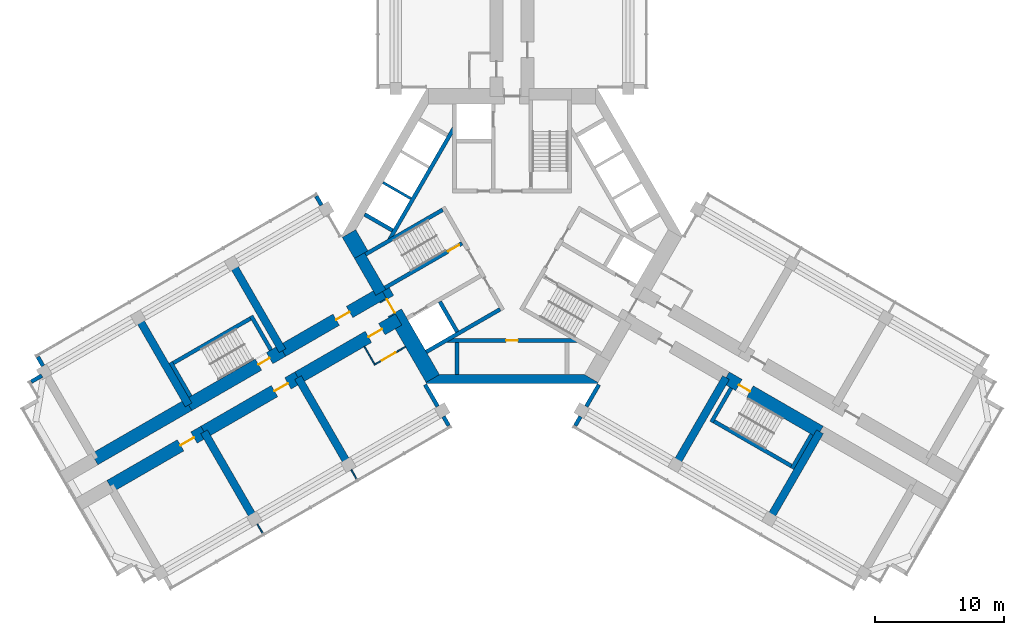
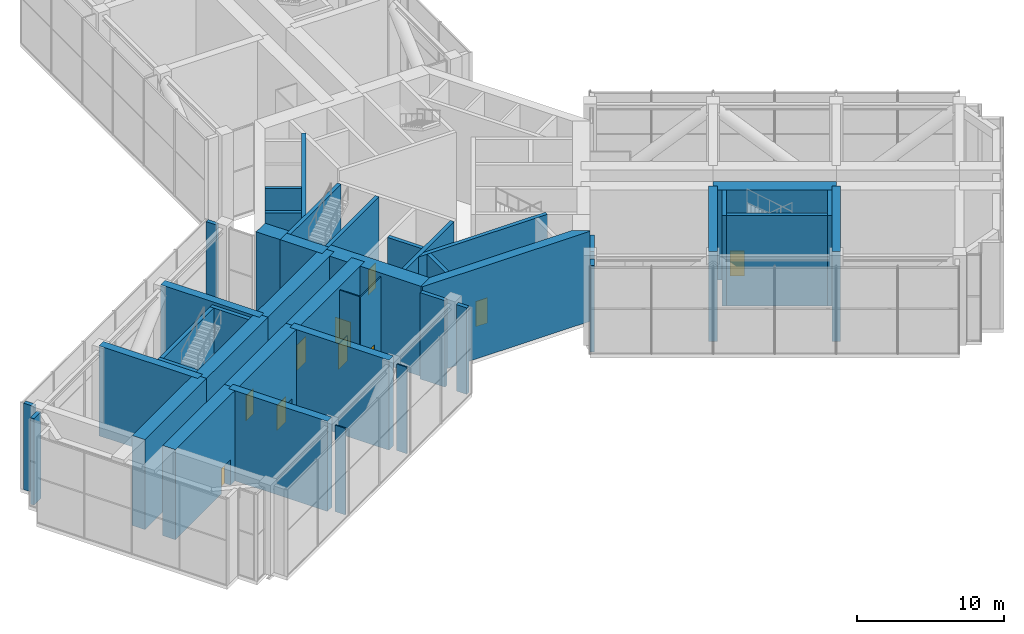
# One storey, part 12 of 16: 43 walls, 10 doors, 10 openings.
"""IFC4 building model written with IfcOpenShell, lengths in metres."""

import ifcopenshell
import ifcopenshell.guid

model = None  # the IFC model being written
_history = None  # IfcOwnerHistory: only IFC2X3 demands one
_inside = {}  # id of a spatial element -> (the spatial element, [elements in it])
_under = {}  # id of a project, library or spatial element -> (it, [spatial elements below it])
_declared = {}  # id of a project -> (the project, [libraries it declares])
_typed = {}  # id of a type object -> (the type object, [elements of that type])
_made_of = {}  # id of a material, layer set ... -> (it, [elements and type objects made of it])


def new_model(schema):
    """Start an empty IFC model of exactly this schema.

    Asked for "IFC4X3", IfcOpenShell would pick the latest addendum, in which some entities
    have other attributes; the version numbers below select the first issue.
    IFC2X3 requires an IfcOwnerHistory on every rooted entity: one is made here for all.
    """
    global model, _history
    if schema == "IFC4X3":
        model = ifcopenshell.file(schema_version=(4, 3, 0, 0))
    else:
        model = ifcopenshell.file(schema=schema)
    _inside.clear()
    _under.clear()
    _declared.clear()
    _typed.clear()
    _made_of.clear()
    _history = None
    if model.schema == "IFC2X3":
        org = make("IfcOrganization", Name="unknown")
        user = make(
            "IfcPersonAndOrganization",
            ThePerson=make("IfcPerson", FamilyName="unknown"),
            TheOrganization=org,
        )
        app = make(
            "IfcApplication",
            ApplicationDeveloper=org,
            Version="unknown",
            ApplicationFullName="unknown",
            ApplicationIdentifier="unknown",
        )
        _history = make(
            "IfcOwnerHistory",
            OwningUser=user,
            OwningApplication=app,
            ChangeAction="ADDED",
            CreationDate=0,
        )
    return model


def make(cls, **values):
    """One entity of the class cls with the attributes given. An attribute that is None is left unset."""
    return model.create_entity(
        cls, **{name: value for name, value in values.items() if value is not None}
    )


def rooted(cls, **values):
    """An entity with a GlobalId (a new one), such as an element, a storey or a relation."""
    return make(cls, GlobalId=ifcopenshell.guid.new(), OwnerHistory=_history, **values)


def si_unit(unit_type, name, prefix=None):
    """IfcSIUnit, for example si_unit("LENGTHUNIT", "METRE", prefix="MILLI")."""
    return make("IfcSIUnit", UnitType=unit_type, Prefix=prefix, Name=name)


def assignment(units):
    """IfcUnitAssignment: the units of a project."""
    return None if units is None else make("IfcUnitAssignment", Units=units)


def point(xyz):
    """IfcCartesianPoint."""
    return None if xyz is None else make("IfcCartesianPoint", Coordinates=xyz)


def direction(xyz):
    """IfcDirection."""
    return None if xyz is None else make("IfcDirection", DirectionRatios=xyz)


def frame(location, z_axis=None, x_axis=None):
    """IfcAxis2Placement3D, a coordinate frame: its origin and axes. An axis left out is left unset."""
    return make(
        "IfcAxis2Placement3D",
        Location=point(location),
        Axis=direction(z_axis),
        RefDirection=direction(x_axis),
    )


def frame_2d(location, x_axis=None):
    """IfcAxis2Placement2D, a coordinate frame in the plane: its origin and x axis."""
    return make(
        "IfcAxis2Placement2D", Location=point(location), RefDirection=direction(x_axis)
    )


def origin():
    """The frame at (0, 0, 0) with its axes left unset."""
    return frame((0.0, 0.0, 0.0))


def place(relative_to, where):
    """IfcLocalPlacement: puts the frame where relative to a parent placement (None: the world)."""
    return make(
        "IfcLocalPlacement", PlacementRelTo=relative_to, RelativePlacement=where
    )


def context(
    kind, dimensions, precision=None, world=None, true_north=None, identifier=None
):
    """IfcGeometricRepresentationContext, for example the 3D "Model" context."""
    return make(
        "IfcGeometricRepresentationContext",
        ContextIdentifier=identifier,
        ContextType=kind,
        CoordinateSpaceDimension=dimensions,
        Precision=precision,
        WorldCoordinateSystem=world,
        TrueNorth=true_north,
    )


def subcontext(parent, identifier, kind, view, scale=None):
    """IfcGeometricRepresentationSubContext, for example "Body" below "Model"."""
    return make(
        "IfcGeometricRepresentationSubContext",
        ContextIdentifier=identifier,
        ContextType=kind,
        ParentContext=parent,
        TargetScale=scale,
        TargetView=view,
    )


def project(units=None, contexts=None):
    """IfcProject with its units and contexts."""
    return rooted(
        "IfcProject",
        Name="project",
        RepresentationContexts=contexts,
        UnitsInContext=assignment(units),
    )


def spatial(cls, under=None, at=None, **own):
    """A site, building, storey or space (cls), placed at a placement, below another one or the project."""
    s = rooted(cls, ObjectPlacement=at, **own)
    if under is not None:
        _under.setdefault(under.id(), (under, []))[1].append(s)
    return s


def polyline(points):
    """IfcPolyline through the points."""
    return make("IfcPolyline", Points=[point(p) for p in points])


def profile(cls, at=None, kind="AREA", **sizes):
    """A parametric profile (cls). Its sizes go by their IFC names, for example OverallWidth=200.0."""
    return make(cls, ProfileType=kind, Position=at, **sizes)


def rectangle(**sizes):
    """IfcRectangleProfileDef."""
    return profile("IfcRectangleProfileDef", **sizes)


def outline(outer, holes=None, kind="AREA"):
    """IfcArbitraryClosedProfileDef: a profile drawn as a closed curve; with holes, ...WithVoids."""
    if holes is None:
        return make("IfcArbitraryClosedProfileDef", ProfileType=kind, OuterCurve=outer)
    return make(
        "IfcArbitraryProfileDefWithVoids",
        ProfileType=kind,
        OuterCurve=outer,
        InnerCurves=holes,
    )


def extrude(swept, where, along, depth):
    """IfcExtrudedAreaSolid: the profile swept, set in the frame where, extruded along a direction by depth."""
    return make(
        "IfcExtrudedAreaSolid",
        SweptArea=swept,
        Position=where,
        ExtrudedDirection=direction(along),
        Depth=depth,
    )


def shape(context_of_items, identifier, shape_type, items):
    """IfcShapeRepresentation: the items that make up one representation, for example the "Body"."""
    return make(
        "IfcShapeRepresentation",
        ContextOfItems=context_of_items,
        RepresentationIdentifier=identifier,
        RepresentationType=shape_type,
        Items=items,
    )


def material(Name=None, Category=None):
    """IfcMaterial."""
    return make("IfcMaterial", Name=Name, Category=Category)


def layer(
    of_material, thickness, ventilated=None, Name=None, Category=None, Priority=None
):
    """IfcMaterialLayer: one layer of a wall or slab, of a material (None: an air gap)."""
    return make(
        "IfcMaterialLayer",
        Material=of_material,
        LayerThickness=thickness,
        IsVentilated=ventilated,
        Name=Name,
        Category=Category,
        Priority=Priority,
    )


def layer_set(layers, Name=None):
    """IfcMaterialLayerSet."""
    return make("IfcMaterialLayerSet", MaterialLayers=layers, LayerSetName=Name)


def made_of(thing, what):
    """Note that an element or type object is made of a material, layer set ...; save() writes the relation."""
    if what is not None:
        _made_of.setdefault(what.id(), (what, []))[1].append(thing)
    return thing


def type_object(cls, material=None, **own):
    """A type object (cls), such as IfcWallType, which elements share."""
    return made_of(rooted(cls, **own), material)


def element(
    cls,
    number,
    at=None,
    inside=None,
    cuts=None,
    type_object=None,
    material=None,
    context=None,
    identifier="Body",
    shape_type=None,
    held_by="IfcProductDefinitionShape",
    body=None,
    shapes=None,
    **own,
):
    """One element of the class cls, such as IfcWall. Its Tag is "e" and its number.

    at: its placement. inside: the storey or other place that contains it. cuts: it is an
    opening in that element (IfcRelVoidsElement). A single representation is given by context,
    identifier, shape_type and body (its items); several are given by shapes. held_by: the class
    of the entity that holds the representations. save() writes the other relations.
    """
    e = rooted(cls, Tag="e%d" % number, ObjectPlacement=at, **own)
    if body is not None:
        shapes = [shape(context, identifier, shape_type, body)]
    if shapes is not None:
        e.Representation = make(held_by, Representations=shapes)
    if inside is not None:
        _inside.setdefault(inside.id(), (inside, []))[1].append(e)
    if cuts is not None:
        rooted(
            "IfcRelVoidsElement", RelatingBuildingElement=cuts, RelatedOpeningElement=e
        )
    if type_object is not None:
        _typed.setdefault(type_object.id(), (type_object, []))[1].append(e)
    return made_of(e, material)


def fill(opening, filler):
    """IfcRelFillsElement: the door or window that sits in an opening."""
    return rooted(
        "IfcRelFillsElement",
        RelatingOpeningElement=opening,
        RelatedBuildingElement=filler,
    )


def aggregate(whole, parts):
    """IfcRelAggregates: a whole, such as a stair, and the parts it consists of."""
    return rooted("IfcRelAggregates", RelatingObject=whole, RelatedObjects=parts)


def save(model, path):
    """Write the relations noted so far, then the file.

    IfcRelAggregates (storeys below a building ...), IfcRelContainedInSpatialStructure (elements
    in a storey), IfcRelDefinesByType, IfcRelAssociatesMaterial and IfcRelDeclares: one each for
    every whole, place, type object, material and project.
    """
    for whole, parts in _under.values():
        aggregate(whole, parts)
    for where, things in _inside.values():
        rooted(
            "IfcRelContainedInSpatialStructure",
            RelatedElements=things,
            RelatingStructure=where,
        )
    for kind, things in _typed.values():
        rooted("IfcRelDefinesByType", RelatedObjects=things, RelatingType=kind)
    for what, things in _made_of.values():
        rooted("IfcRelAssociatesMaterial", RelatedObjects=things, RelatingMaterial=what)
    for by, libraries in _declared.values():
        rooted("IfcRelDeclares", RelatingContext=by, RelatedDefinitions=libraries)
    model.write(path)


model = new_model("IFC4")

# Units and contexts
model_context = context("Model", 3, precision=1e-05, world=origin(), true_north=direction((0.0, 1.0)))
body_context = subcontext(model_context, "Body", "Model", "MODEL_VIEW")
ifc_project = project(units=[si_unit("LENGTHUNIT", "METRE"), si_unit("AREAUNIT", "SQUARE_METRE"), si_unit("VOLUMEUNIT", "CUBIC_METRE"), si_unit("PLANEANGLEUNIT", "RADIAN"), si_unit("MASSUNIT", "GRAM", prefix="KILO")], contexts=[model_context])

# Site, building, storey
site_placement = place(None, origin())
site = spatial("IfcSite", under=ifc_project, at=site_placement, CompositionType="ELEMENT")
building_placement = place(site_placement, origin())
building = spatial("IfcBuilding", under=site, at=building_placement, Name="Impinga Residences", CompositionType="ELEMENT")
storey_placement = place(building_placement, frame((0.0, 0.0, 181.0)))
storey = spatial("IfcBuildingStorey", under=building, at=storey_placement, Name="L45", CompositionType="ELEMENT", Elevation=181.0)

# Wall, opening, door
ifc_material_1 = material(Name="Concrete blockwork", Category="masonry")
ifc_layer_1 = layer(ifc_material_1, 0.10009765625)
ifc_layer_set_1 = layer_set([ifc_layer_1], Name="CP1 core room partition, blockwork 100")
wall_type_1 = type_object("IfcWallType", Name="CP1 core room partition, blockwork 100", PredefinedType="PARTITIONING", material=ifc_layer_set_1)
wall_1_placement = place(storey_placement, frame((-8.25, -8.57373046875, 0.0), z_axis=(0.0, 0.0, 1.0), x_axis=(-0.866034573852, -0.49998411664, 0.0)))
wall_1 = element("IfcWall", 1, at=wall_1_placement, inside=storey, type_object=wall_type_1, Name="Core room partition, blockwork L45-WA1:L1", PredefinedType="PARTITIONING", context=body_context, shape_type="SweptSolid", body=[
    extrude(rectangle(XDim=2.7998046875, YDim=0.10009765625, at=frame_2d((1.39990234375, 0.0))), origin(), (0.0, 0.0, 1.0), 7.199951171875),
])
opening_1_placement = place(wall_1_placement, frame((0.89990234375, 0.0, 0.0)))
opening_1 = element("IfcOpeningElement", 2, at=opening_1_placement, cuts=wall_1, Name="Opening D3", PredefinedType="OPENING", context=body_context, shape_type="SweptSolid", body=[
    extrude(rectangle(XDim=1.199951171875, YDim=2.10009765625, at=frame_2d((0.60009765625, 1.050048828125))), frame((0.0, 0.06005859375, 0.0), z_axis=(0.0, -1.0, 0.0), x_axis=(1.0, 0.0, 0.0)), (0.0, 0.0, 1.0), 0.1201171875),
])
ifc_material_2 = material(Name="Timber door set", Category="wood")
door_type_1 = type_object("IfcDoorType", Name="D3 room door, leaf and a half 1200x2100", OperationType="DOUBLE_SWING_LEFT", PredefinedType="DOOR", material=ifc_material_2)
door_1_placement = place(opening_1_placement, origin())
door_1 = element("IfcDoor", 3, at=door_1_placement, inside=storey, type_object=door_type_1, Name="Air handling plant room door L45-WA1", OperationType="DOUBLE_SWING_LEFT", OverallHeight=2.10009765625, OverallWidth=1.199951171875, PredefinedType="DOOR", context=body_context, shape_type="SweptSolid", body=[
    extrude(rectangle(XDim=1.199951171875, YDim=2.10009765625, at=frame_2d((0.60009765625, 1.050048828125))), frame((0.0, 0.02490234375, 0.0), z_axis=(0.0, -1.0, 0.0), x_axis=(1.0, 0.0, 0.0)), (0.0, 0.0, 1.0), 0.050048828125),
])
fill(opening_1, door_1)

# Walls
wall_2_placement = place(storey_placement, frame((-11.431640625, -8.56298828125, 0.0), z_axis=(0.0, 0.0, 1.0), x_axis=(0.500086022567, -0.865975732936, 0.0)))
element("IfcWall", 4, at=wall_2_placement, inside=storey, type_object=wall_type_1, Name="Core room partition, blockwork L45-WA1:L2", PredefinedType="PARTITIONING", context=body_context, shape_type="SweptSolid", body=[
    extrude(rectangle(XDim=1.550048828125, YDim=0.10009765625, at=frame_2d((0.77490234375, 0.0))), origin(), (0.0, 0.0, 1.0), 7.199951171875),
])
wall_3_placement = place(storey_placement, frame((-12.44970703125, -18.099609375, 0.0), z_axis=(0.0, 0.0, 1.0), x_axis=(0.499966081581, -0.866044985707, 0.0)))
element("IfcWall", 5, at=wall_3_placement, inside=storey, type_object=wall_type_1, Name="Core room partition, blockwork L45-WA1:PS1b", PredefinedType="PARTITIONING", context=body_context, shape_type="SweptSolid", body=[
    extrude(rectangle(XDim=0.8095703125, YDim=0.10009765625, at=frame_2d((0.40478515625, 0.0))), origin(), (0.0, 0.0, 1.0), 7.199951171875),
])
wall_4_placement = place(storey_placement, frame((-19.72412109375, -22.2998046875, 0.0), z_axis=(0.0, 0.0, 1.0), x_axis=(0.499870436214, -0.86610019455, 0.0)))
element("IfcWall", 6, at=wall_4_placement, inside=storey, type_object=wall_type_1, Name="Core room partition, blockwork L45-WA1:PS2b", PredefinedType="PARTITIONING", context=body_context, shape_type="SweptSolid", body=[
    extrude(rectangle(XDim=0.809326171875, YDim=0.10009765625, at=frame_2d((0.40478515625, 0.0))), origin(), (0.0, 0.0, 1.0), 7.199951171875),
])
ifc_material_3 = material(Name="Stone facing on blockwork", Category="masonry")
ifc_layer_2 = layer(ifc_material_3, 0.300048828125)
ifc_layer_set_2 = layer_set([ifc_layer_2], Name="EW2 external wall, stone facing on blockwork 300")
wall_type_2 = type_object("IfcWallType", Name="EW2 external wall, stone facing on blockwork 300", PredefinedType="SOLIDWALL", material=ifc_layer_set_2)
wall_5_placement = place(storey_placement, frame((-37.23779296875, -11.2802734375, 0.0), z_axis=(0.0, 0.0, 1.0), x_axis=(0.865990234582, 0.500060909899, 0.0)))
element("IfcWall", 7, at=wall_5_placement, inside=storey, type_object=wall_type_2, Name="External wall EW2 L45", PredefinedType="SOLIDWALL", context=body_context, shape_type="SweptSolid", body=[
    extrude(rectangle(XDim=0.95751953125, YDim=0.300048828125, at=frame_2d((0.478759765625, 0.0))), origin(), (0.0, 0.0, 1.0), 7.199951171875),
])
wall_6_placement = place(storey_placement, frame((-36.320556640625, -10.05419921875, 0.0), z_axis=(0.0, 0.0, 1.0), x_axis=(-0.4998275386, 0.866124951527, 0.0)))
element("IfcWall", 8, at=wall_6_placement, inside=storey, type_object=wall_type_2, Name="External wall EW2 L45", PredefinedType="SOLIDWALL", context=body_context, shape_type="SweptSolid", body=[
    extrude(rectangle(XDim=0.804443359375, YDim=0.300048828125, at=frame_2d((0.40234375, 0.0))), origin(), (0.0, 0.0, 1.0), 7.199951171875),
])
wall_7_placement = place(storey_placement, frame((-15.15869140625, 3.092529296875, 0.0), z_axis=(0.0, 0.0, 1.0), x_axis=(0.500055147301, -0.865993562134, 0.0)))
element("IfcWall", 9, at=wall_7_placement, inside=storey, type_object=wall_type_2, Name="External wall EW2 L45", PredefinedType="SOLIDWALL", context=body_context, shape_type="SweptSolid", body=[
    extrude(rectangle(XDim=0.8046875, YDim=0.300048828125, at=frame_2d((0.40234375, 0.0))), origin(), (0.0, 0.0, 1.0), 7.199951171875),
])
wall_8_placement = place(storey_placement, frame((4.901123046875, -14.674072265625, 0.0), z_axis=(0.0, 0.0, 1.0), x_axis=(0.49997539674, 0.866039608017, 0.0)))
element("IfcWall", 10, at=wall_8_placement, inside=storey, type_object=wall_type_2, Name="External wall EW2 L45", PredefinedType="SOLIDWALL", context=body_context, shape_type="SweptSolid", body=[
    extrude(rectangle(XDim=0.8076171875, YDim=0.300048828125, at=frame_2d((0.40380859375, 0.0))), origin(), (0.0, 0.0, 1.0), 7.199951171875),
])
for number, where, z_axis, x_axis, name in (
    (11, (5.7548828125, -13.1953125, 0.0), (0.0, 0.0, 1.0), (0.500043961785, 0.866000020948, 0.0), "External wall EW2 L45"),
    (12, (-6.72998046875, -11.506591796875, 0.0), (0.0, 0.0, 1.0), (0.500043961785, -0.866000020948, 0.0), "External wall EW2 L45"),
):
    element("IfcWall", number, at=place(storey_placement, frame(where, z_axis=z_axis, x_axis=x_axis)), inside=storey, type_object=wall_type_2, Name=name, PredefinedType="SOLIDWALL", context=body_context, shape_type="SweptSolid", body=[
        extrude(rectangle(XDim=1.949951171875, YDim=0.300048828125, at=frame_2d((0.97509765625, 0.0))), origin(), (0.0, 0.0, 1.0), 7.199951171875),
    ])
wall_9_placement = place(storey_placement, frame((-5.304931640625, -13.974609375, 0.0), z_axis=(0.0, 0.0, 1.0), x_axis=(0.49997539674, -0.866039608017, 0.0)))
element("IfcWall", 13, at=wall_9_placement, inside=storey, type_object=wall_type_2, Name="External wall EW2 L45", PredefinedType="SOLIDWALL", context=body_context, shape_type="SweptSolid", body=[
    extrude(rectangle(XDim=0.8076171875, YDim=0.300048828125, at=frame_2d((0.40380859375, 0.0))), origin(), (0.0, 0.0, 1.0), 7.199951171875),
])

# Wall, opening, door
ifc_material_4 = material(Name="Concrete C60/75", Category="concrete")
ifc_layer_3 = layer(ifc_material_4, 1.0)
ifc_layer_set_3 = layer_set([ifc_layer_3], Name="Concrete C60/75")
wall_type_3 = type_object("IfcWallType", Name="OW1 outrigger wall on the corridor line 1000", PredefinedType="SHEAR", material=ifc_layer_set_3)
wall_10_placement = place(storey_placement, frame((-8.7802734375, -6.455078125, 0.0), z_axis=(0.0, 0.0, 1.0), x_axis=(-0.866031096941, -0.499990139034, 0.0)))
wall_10 = element("IfcWall", 14, at=wall_10_placement, inside=storey, type_object=wall_type_3, Name="Corridor wall OW1 WC L45", PredefinedType="SHEAR", context=body_context, shape_type="SweptSolid", body=[
    extrude(rectangle(XDim=9.000244140625, YDim=1.0, at=frame_2d((4.5, 0.0))), origin(), (0.0, 0.0, 1.0), 7.5),
])
opening_2_placement = place(wall_10_placement, frame((1.5, 0.0, 0.0)))
opening_2 = element("IfcOpeningElement", 15, at=opening_2_placement, cuts=wall_10, Name="Opening D3", PredefinedType="OPENING", context=body_context, shape_type="SweptSolid", body=[
    extrude(rectangle(XDim=1.199951171875, YDim=2.10009765625, at=frame_2d((0.60009765625, 1.050048828125))), frame((0.0, 0.510009765625, 0.0), z_axis=(0.0, -1.0, 0.0), x_axis=(1.0, 0.0, 0.0)), (0.0, 0.0, 1.0), 1.02001953125),
])
door_2_placement = place(opening_2_placement, origin())
door_2 = element("IfcDoor", 16, at=door_2_placement, inside=storey, type_object=door_type_1, Name="Plant room lobby door L45-WA1", OperationType="DOUBLE_SWING_LEFT", OverallHeight=2.10009765625, OverallWidth=1.199951171875, PredefinedType="DOOR", context=body_context, shape_type="SweptSolid", body=[
    extrude(rectangle(XDim=1.199951171875, YDim=2.10009765625, at=frame_2d((0.60009765625, 1.050048828125))), frame((0.0, 0.02490234375, 0.0), z_axis=(0.0, -1.0, 0.0), x_axis=(1.0, 0.0, 0.0)), (0.0, 0.0, 1.0), 0.050048828125),
])
fill(opening_2, door_2)

wall_11_placement = place(storey_placement, frame((-16.57470703125, -10.955078125, 0.0), z_axis=(0.0, 0.0, 1.0), x_axis=(-0.866021988312, -0.500005915725, 0.0)))
wall_11 = element("IfcWall", 17, at=wall_11_placement, inside=storey, type_object=wall_type_3, Name="Corridor wall OW1 WC L45", PredefinedType="SHEAR", context=body_context, shape_type="SweptSolid", body=[
    extrude(rectangle(XDim=8.39990234375, YDim=1.0, at=frame_2d((4.199951171875, 0.0))), origin(), (0.0, 0.0, 1.0), 7.5),
])
opening_3_placement = place(wall_11_placement, frame((0.89990234375, 0.0, 0.0)))
opening_3 = element("IfcOpeningElement", 18, at=opening_3_placement, cuts=wall_11, Name="Opening D3", PredefinedType="OPENING", context=body_context, shape_type="SweptSolid", body=[
    extrude(rectangle(XDim=1.199951171875, YDim=2.10009765625, at=frame_2d((0.60009765625, 1.050048828125))), frame((0.0, 0.510009765625, 0.0), z_axis=(0.0, -1.0, 0.0), x_axis=(1.0, 0.0, 0.0)), (0.0, 0.0, 1.0), 1.02001953125),
])
door_3_placement = place(opening_3_placement, origin())
door_3 = element("IfcDoor", 19, at=door_3_placement, inside=storey, type_object=door_type_1, Name="Water tank plant room door L45-WA1", OperationType="DOUBLE_SWING_LEFT", OverallHeight=2.10009765625, OverallWidth=1.199951171875, PredefinedType="DOOR", context=body_context, shape_type="SweptSolid", body=[
    extrude(rectangle(XDim=1.199951171875, YDim=2.10009765625, at=frame_2d((0.60009765625, 1.050048828125))), frame((0.0, 0.02490234375, 0.0), z_axis=(0.0, -1.0, 0.0), x_axis=(1.0, 0.0, 0.0)), (0.0, 0.0, 1.0), 0.050048828125),
])
fill(opening_3, door_3)

wall_12_placement = place(storey_placement, frame((-23.84912109375, -15.155029296875, 0.0), z_axis=(0.0, 0.0, 1.0), x_axis=(-0.86602925447, -0.499993330357, 0.0)))
wall_12 = element("IfcWall", 20, at=wall_12_placement, inside=storey, type_object=wall_type_3, Name="Corridor wall OW1 WC L45", PredefinedType="SHEAR", context=body_context, shape_type="SweptSolid", body=[
    extrude(rectangle(XDim=8.39990234375, YDim=1.0, at=frame_2d((4.199951171875, 0.0))), origin(), (0.0, 0.0, 1.0), 7.5),
])
opening_4_placement = place(wall_12_placement, frame((0.89990234375, 0.0, 0.0)))
opening_4 = element("IfcOpeningElement", 21, at=opening_4_placement, cuts=wall_12, Name="Opening D3", PredefinedType="OPENING", context=body_context, shape_type="SweptSolid", body=[
    extrude(rectangle(XDim=1.199951171875, YDim=2.10009765625, at=frame_2d((0.60009765625, 1.050048828125))), frame((0.0, 0.510009765625, 0.0), z_axis=(0.0, -1.0, 0.0), x_axis=(1.0, 0.0, 0.0)), (0.0, 0.0, 1.0), 1.02001953125),
])
door_4_placement = place(opening_4_placement, origin())
door_4 = element("IfcDoor", 22, at=door_4_placement, inside=storey, type_object=door_type_1, Name="Communications plant room door L45-WA1", OperationType="DOUBLE_SWING_LEFT", OverallHeight=2.10009765625, OverallWidth=1.199951171875, PredefinedType="DOOR", context=body_context, shape_type="SweptSolid", body=[
    extrude(rectangle(XDim=1.199951171875, YDim=2.10009765625, at=frame_2d((0.60009765625, 1.050048828125))), frame((0.0, 0.02490234375, 0.0), z_axis=(0.0, -1.0, 0.0), x_axis=(1.0, 0.0, 0.0)), (0.0, 0.0, 1.0), 0.050048828125),
])
fill(opening_4, door_4)

wall_13_placement = place(storey_placement, frame((-9.98046875, -4.37646484375, 0.0), z_axis=(0.0, 0.0, 1.0), x_axis=(-0.866024315419, -0.5000018851, 0.0)))
wall_13 = element("IfcWall", 23, at=wall_13_placement, inside=storey, type_object=wall_type_3, Name="Corridor wall OW1 WD L45", PredefinedType="SHEAR", context=body_context, shape_type="SweptSolid", body=[
    extrude(rectangle(XDim=9.0, YDim=1.0, at=frame_2d((4.5, 0.0))), origin(), (0.0, 0.0, 1.0), 7.5),
])
opening_5_placement = place(wall_13_placement, frame((3.0, 0.0, 0.0)))
opening_5 = element("IfcOpeningElement", 24, at=opening_5_placement, cuts=wall_13, Name="Opening D3", PredefinedType="OPENING", context=body_context, shape_type="SweptSolid", body=[
    extrude(rectangle(XDim=1.199951171875, YDim=2.10009765625, at=frame_2d((0.60009765625, 1.050048828125))), frame((0.0, 0.510009765625, 0.0), z_axis=(0.0, -1.0, 0.0), x_axis=(1.0, 0.0, 0.0)), (0.0, 0.0, 1.0), 1.02001953125),
])
door_5_placement = place(opening_5_placement, origin())
door_5 = element("IfcDoor", 25, at=door_5_placement, inside=storey, type_object=door_type_1, Name="Refuge area door L45-WF1", OperationType="DOUBLE_SWING_LEFT", OverallHeight=2.10009765625, OverallWidth=1.199951171875, PredefinedType="DOOR", context=body_context, shape_type="SweptSolid", body=[
    extrude(rectangle(XDim=1.199951171875, YDim=2.10009765625, at=frame_2d((0.60009765625, 1.050048828125))), frame((0.0, 0.02490234375, 0.0), z_axis=(0.0, -1.0, 0.0), x_axis=(1.0, 0.0, 0.0)), (0.0, 0.0, 1.0), 0.050048828125),
])
fill(opening_5, door_5)

wall_14_placement = place(storey_placement, frame((-17.774658203125, -8.87646484375, 0.0), z_axis=(0.0, 0.0, 1.0), x_axis=(-0.86602925447, -0.499993330357, 0.0)))
wall_14 = element("IfcWall", 26, at=wall_14_placement, inside=storey, type_object=wall_type_3, Name="Corridor wall OW1 WD L45", PredefinedType="SHEAR", context=body_context, shape_type="SweptSolid", body=[
    extrude(rectangle(XDim=8.39990234375, YDim=1.0, at=frame_2d((4.199951171875, 0.0))), origin(), (0.0, 0.0, 1.0), 7.5),
])
opening_6_placement = place(wall_14_placement, frame((1.14990234375, 0.0, 0.0)))
opening_6 = element("IfcOpeningElement", 27, at=opening_6_placement, cuts=wall_14, Name="Opening D5", PredefinedType="OPENING", context=body_context, shape_type="SweptSolid", body=[
    extrude(rectangle(XDim=1.0, YDim=2.10009765625, at=frame_2d((0.5, 1.050048828125))), frame((0.0, 0.510009765625, 0.0), z_axis=(0.0, -1.0, 0.0), x_axis=(1.0, 0.0, 0.0)), (0.0, 0.0, 1.0), 1.02001953125),
])
door_type_2 = type_object("IfcDoorType", Name="D5 stair door 1000x2100", OperationType="SINGLE_SWING_LEFT", PredefinedType="DOOR", material=ifc_material_2)
door_6_placement = place(opening_6_placement, origin())
door_6 = element("IfcDoor", 28, at=door_6_placement, inside=storey, type_object=door_type_2, Name="Wing stair door W", OperationType="SINGLE_SWING_LEFT", OverallHeight=2.10009765625, OverallWidth=1.0, PredefinedType="DOOR", context=body_context, shape_type="SweptSolid", body=[
    extrude(rectangle(XDim=1.0, YDim=2.10009765625, at=frame_2d((0.5, 1.050048828125))), frame((0.0, 0.02490234375, 0.0), z_axis=(0.0, -1.0, 0.0), x_axis=(1.0, 0.0, 0.0)), (0.0, 0.0, 1.0), 0.050048828125),
])
fill(opening_6, door_6)

# Wall
wall_15_placement = place(storey_placement, frame((-25.04931640625, -13.076416015625, 0.0), z_axis=(0.0, 0.0, 1.0), x_axis=(-0.866009402589, -0.500027713859, 0.0)))
element("IfcWall", 29, at=wall_15_placement, inside=storey, type_object=wall_type_3, Name="Corridor wall OW1 WD L45", PredefinedType="SHEAR", context=body_context, shape_type="SweptSolid", body=[
    extrude(rectangle(XDim=8.39990234375, YDim=1.0, at=frame_2d((4.199951171875, 0.0))), origin(), (0.0, 0.0, 1.0), 7.5),
])

# Wall, opening, door
wall_16_placement = place(storey_placement, frame((16.57470703125, -10.955078125, 0.0), z_axis=(0.0, 0.0, 1.0), x_axis=(0.866021988312, -0.500005915725, 0.0)))
wall_16 = element("IfcWall", 30, at=wall_16_placement, inside=storey, type_object=wall_type_3, Name="Corridor wall OW1 ED L45", PredefinedType="SHEAR", context=body_context, shape_type="SweptSolid", body=[
    extrude(rectangle(XDim=8.39990234375, YDim=1.0, at=frame_2d((4.199951171875, 0.0))), origin(), (0.0, 0.0, 1.0), 7.5),
])
opening_7_placement = place(wall_16_placement, frame((1.14990234375, 0.0, 0.0)))
opening_7 = element("IfcOpeningElement", 31, at=opening_7_placement, cuts=wall_16, Name="Opening D5", PredefinedType="OPENING", context=body_context, shape_type="SweptSolid", body=[
    extrude(rectangle(XDim=1.0, YDim=2.10009765625, at=frame_2d((0.5, 1.050048828125))), frame((0.0, 0.510009765625, 0.0), z_axis=(0.0, -1.0, 0.0), x_axis=(1.0, 0.0, 0.0)), (0.0, 0.0, 1.0), 1.02001953125),
])
door_7_placement = place(opening_7_placement, origin())
door_7 = element("IfcDoor", 32, at=door_7_placement, inside=storey, type_object=door_type_2, Name="Wing stair door E", OperationType="SINGLE_SWING_LEFT", OverallHeight=2.10009765625, OverallWidth=1.0, PredefinedType="DOOR", context=body_context, shape_type="SweptSolid", body=[
    extrude(rectangle(XDim=1.0, YDim=2.10009765625, at=frame_2d((0.5, 1.050048828125))), frame((0.0, 0.02490234375, 0.0), z_axis=(0.0, -1.0, 0.0), x_axis=(1.0, 0.0, 0.0)), (0.0, 0.0, 1.0), 0.050048828125),
])
fill(opening_7, door_7)

# Walls
ifc_layer_4 = layer(ifc_material_4, 0.60009765625)
ifc_layer_set_4 = layer_set([ifc_layer_4], Name="Concrete C60/75")
wall_type_4 = type_object("IfcWallType", Name="OW2 outrigger arm wall to the perimeter columns 600", PredefinedType="SHEAR", material=ifc_layer_set_4)
wall_17_placement = place(storey_placement, frame((-16.57470703125, -10.955078125, 0.0), z_axis=(0.0, 0.0, 1.0), x_axis=(0.500020487837, -0.866013574803, 0.0)))
element("IfcWall", 33, at=wall_17_placement, inside=storey, type_object=wall_type_4, Name="Outrigger wall OW2 W2/WA L45", PredefinedType="SHEAR", context=body_context, shape_type="SweptSolid", body=[
    extrude(rectangle(XDim=7.800048828125, YDim=0.60009765625, at=frame_2d((3.89990234375, 0.0))), origin(), (0.0, 0.0, 1.0), 7.5),
])
for number, where, z_axis, x_axis, name in (
    (34, (-17.774658203125, -8.87646484375, 0.0), (0.0, 0.0, 1.0), (-0.499997012787, 0.866027128446, 0.0), "Outrigger wall OW2 W2/WF L45"),
    (35, (-23.84912109375, -15.155029296875, 0.0), (0.0, 0.0, 1.0), (0.499997012787, -0.866027128446, 0.0), "Outrigger wall OW2 W3/WA L45"),
    (36, (-25.04931640625, -13.076416015625, 0.0), (0.0, 0.0, 1.0), (-0.499997012787, 0.866027128446, 0.0), "Outrigger wall OW2 W3/WF L45"),
):
    element("IfcWall", number, at=place(storey_placement, frame(where, z_axis=z_axis, x_axis=x_axis)), inside=storey, type_object=wall_type_4, Name=name, PredefinedType="SHEAR", context=body_context, shape_type="SweptSolid", body=[
        extrude(rectangle(XDim=7.7998046875, YDim=0.60009765625, at=frame_2d((3.89990234375, 0.0))), origin(), (0.0, 0.0, 1.0), 7.5),
    ])
wall_18_placement = place(storey_placement, frame((16.57470703125, -10.955078125, 0.0), z_axis=(0.0, 0.0, 1.0), x_axis=(-0.500020487837, -0.866013574803, 0.0)))
element("IfcWall", 37, at=wall_18_placement, inside=storey, type_object=wall_type_4, Name="Outrigger wall OW2 E2/EF L45", PredefinedType="SHEAR", context=body_context, shape_type="SweptSolid", body=[
    extrude(rectangle(XDim=7.800048828125, YDim=0.60009765625, at=frame_2d((3.89990234375, 0.0))), origin(), (0.0, 0.0, 1.0), 7.5),
])
wall_19_placement = place(storey_placement, frame((23.84912109375, -15.155029296875, 0.0), z_axis=(0.0, 0.0, 1.0), x_axis=(-0.499997012787, -0.866027128446, 0.0)))
element("IfcWall", 38, at=wall_19_placement, inside=storey, type_object=wall_type_4, Name="Outrigger wall OW2 E3/EF L45", PredefinedType="SHEAR", context=body_context, shape_type="SweptSolid", body=[
    extrude(rectangle(XDim=7.7998046875, YDim=0.60009765625, at=frame_2d((3.89990234375, 0.0))), origin(), (0.0, 0.0, 1.0), 7.5),
])
ifc_layer_5 = layer(ifc_material_4, 0.300048828125)
ifc_layer_set_5 = layer_set([ifc_layer_5], Name="Concrete C60/75")
wall_type_5 = type_object("IfcWallType", Name="SE1 wing stair enclosure wall 300", PredefinedType="SOLIDWALL", material=ifc_layer_set_5)
for number, where, z_axis, x_axis, name in (
    (39, (-18.674072265625, -8.818603515625, 0.0), (0.0, 0.0, 1.0), (-0.500038867431, 0.8660029625, 0.0), "Stair enclosure wall SE1 W END0 L45"),
    (40, (-24.909423828125, -12.41845703125, 0.0), (0.0, 0.0, 1.0), (-0.500038867431, 0.8660029625, 0.0), "Stair enclosure wall SE1 W END1 L45"),
):
    element("IfcWall", number, at=place(storey_placement, frame(where, z_axis=z_axis, x_axis=x_axis)), inside=storey, type_object=wall_type_5, Name=name, PredefinedType="SOLIDWALL", context=body_context, shape_type="SweptSolid", body=[
        extrude(rectangle(XDim=3.050048828125, YDim=0.300048828125, at=frame_2d((1.52490234375, 0.0))), origin(), (0.0, 0.0, 1.0), 7.5),
    ])
wall_20_placement = place(storey_placement, frame((-20.254150390625, -6.382080078125, 0.0), z_axis=(0.0, 0.0, 1.0), x_axis=(-0.866020008033, -0.500009345598, 0.0)))
element("IfcWall", 41, at=wall_20_placement, inside=storey, type_object=wall_type_5, Name="Stair enclosure wall SE1 W OUT L45", PredefinedType="SOLIDWALL", context=body_context, shape_type="SweptSolid", body=[
    extrude(rectangle(XDim=6.899658203125, YDim=0.300048828125, at=frame_2d((3.44970703125, 0.0))), origin(), (0.0, 0.0, 1.0), 7.5),
])
for number, where, z_axis, x_axis, name in (
    (42, (16.97412109375, -11.762939453125, 0.0), (0.0, 0.0, 1.0), (-0.499978833458, -0.866037623948, 0.0), "Stair enclosure wall SE1 E END0 L45"),
    (43, (23.20947265625, -15.363037109375, 0.0), (0.0, 0.0, 1.0), (-0.499978833458, -0.866037623948, 0.0), "Stair enclosure wall SE1 E END1 L45"),
):
    element("IfcWall", number, at=place(storey_placement, frame(where, z_axis=z_axis, x_axis=x_axis)), inside=storey, type_object=wall_type_5, Name=name, PredefinedType="SOLIDWALL", context=body_context, shape_type="SweptSolid", body=[
        extrude(rectangle(XDim=3.050048828125, YDim=0.300048828125, at=frame_2d((1.52490234375, 0.0))), origin(), (0.0, 0.0, 1.0), 7.5),
    ])
wall_21_placement = place(storey_placement, frame((15.654052734375, -14.349365234375, 0.0), z_axis=(0.0, 0.0, 1.0), x_axis=(0.866013532718, -0.500020560727, 0.0)))
element("IfcWall", 44, at=wall_21_placement, inside=storey, type_object=wall_type_5, Name="Stair enclosure wall SE1 E OUT L45", PredefinedType="SOLIDWALL", context=body_context, shape_type="SweptSolid", body=[
    extrude(rectangle(XDim=6.900146484375, YDim=0.300048828125, at=frame_2d((3.4501953125, 0.0))), origin(), (0.0, 0.0, 1.0), 7.5),
])
ifc_material_5 = material(Name="Concrete C70/85", Category="concrete")
ifc_layer_6 = layer(ifc_material_5, 0.89990234375)
ifc_layer_set_6 = layer_set([ifc_layer_6], Name="Concrete C70/85")
wall_type_6 = type_object("IfcWallType", Name="SW1 core wall 900", PredefinedType="SHEAR", material=ifc_layer_set_6)
wall_22_placement = place(storey_placement, frame((-10.160400390625, -4.364990234375, 0.0), z_axis=(0.0, 0.0, 1.0), x_axis=(-0.499974350878, 0.866040211805, 0.0)))
element("IfcWall", 45, at=wall_22_placement, inside=storey, type_object=wall_type_6, Name="Core wall SW1 W:FACE:ST L45", PredefinedType="SHEAR", context=body_context, shape_type="SweptSolid", body=[
    extrude(rectangle(XDim=3.300048828125, YDim=0.89990234375, at=frame_2d((1.64990234375, 0.0))), origin(), (0.0, 0.0, 1.0), 7.5),
])
ifc_layer_7 = layer(ifc_material_4, 0.699951171875)
ifc_layer_set_7 = layer_set([ifc_layer_7], Name="Concrete C60/75")
wall_type_7 = type_object("IfcWallType", Name="SW3 core wall 700", PredefinedType="SHEAR", material=ifc_layer_set_7)
wall_23_placement = place(storey_placement, origin())
element("IfcWall", 46, at=wall_23_placement, inside=storey, type_object=wall_type_7, Name="Core wall SW3 N:EXPOSED L45", PredefinedType="SHEAR", context=body_context, shape_type="SweptSolid", body=[
    extrude(outline(polyline([(-6.60009765625, -11.431640625), (6.60009765625, -11.431640625), (6.65771484375, -11.33154296875), (5.618408203125, -10.7314453125), (-5.618408203125, -10.7314453125), (-6.65771484375, -11.33154296875), (-6.60009765625, -11.431640625)])), origin(), (0.0, 0.0, 1.0), 7.5),
])

# Wall, opening, door
ifc_layer_8 = layer(ifc_material_5, 0.300048828125)
ifc_layer_set_8 = layer_set([ifc_layer_8], Name="Concrete C70/85")
wall_type_8 = type_object("IfcWallType", Name="SW5 core inner wall, stairs, shafts and lobbies 300", PredefinedType="SHEAR", material=ifc_layer_set_8)
wall_24_placement = place(storey_placement, frame((-3.86865234375, -0.559326171875, 0.0), z_axis=(0.0, 0.0, 1.0), x_axis=(-0.86602711848, -0.499997030048, 0.0)))
wall_24 = element("IfcWall", 47, at=wall_24_placement, inside=storey, type_object=wall_type_8, Name="Core wall SW5 W:ST-IN L45", PredefinedType="SHEAR", context=body_context, shape_type="SweptSolid", body=[
    extrude(rectangle(XDim=6.9013671875, YDim=0.300048828125, at=frame_2d((3.45068359375, 0.0))), origin(), (0.0, 0.0, 1.0), 7.5),
])
opening_8_placement = place(wall_24_placement, frame((0.25, 0.0, 0.0)))
opening_8 = element("IfcOpeningElement", 48, at=opening_8_placement, cuts=wall_24, Name="Opening D5", PredefinedType="OPENING", context=body_context, shape_type="SweptSolid", body=[
    extrude(rectangle(XDim=1.0, YDim=2.10009765625, at=frame_2d((0.5, 1.050048828125))), frame((0.0, 0.159912109375, 0.0), z_axis=(0.0, -1.0, 0.0), x_axis=(1.0, 0.0, 0.0)), (0.0, 0.0, 1.0), 0.320068359375),
])
door_8_placement = place(opening_8_placement, origin())
door_8 = element("IfcDoor", 49, at=door_8_placement, inside=storey, type_object=door_type_2, Name="Stair door W", OperationType="SINGLE_SWING_LEFT", OverallHeight=2.10009765625, OverallWidth=1.0, PredefinedType="DOOR", context=body_context, shape_type="SweptSolid", body=[
    extrude(rectangle(XDim=1.0, YDim=2.10009765625, at=frame_2d((0.5, 1.050048828125))), frame((0.0, 0.02490234375, 0.0), z_axis=(0.0, -1.0, 0.0), x_axis=(1.0, 0.0, 0.0)), (0.0, 0.0, 1.0), 0.050048828125),
])
fill(opening_8, door_8)

# Walls
wall_25_placement = place(storey_placement, frame((-5.36865234375, 2.038818359375, 0.0), z_axis=(0.0, 0.0, 1.0), x_axis=(-0.86602711848, -0.499997030048, 0.0)))
element("IfcWall", 50, at=wall_25_placement, inside=storey, type_object=wall_type_8, Name="Core wall SW5 W:ST-OUT L45", PredefinedType="SHEAR", context=body_context, shape_type="SweptSolid", body=[
    extrude(rectangle(XDim=6.9013671875, YDim=0.300048828125, at=frame_2d((3.45068359375, 0.0))), origin(), (0.0, 0.0, 1.0), 7.5),
])
wall_26_placement = place(storey_placement, frame((-0.918701171875, -5.668701171875, 0.0), z_axis=(0.0, 0.0, 1.0), x_axis=(-0.866022381193, -0.500005235245, 0.0)))
element("IfcWall", 51, at=wall_26_placement, inside=storey, type_object=wall_type_8, Name="Core wall SW5 W:FF-OUT L45", PredefinedType="SHEAR", context=body_context, shape_type="SweptSolid", body=[
    extrude(rectangle(XDim=6.6015625, YDim=0.300048828125, at=frame_2d((3.30078125, 0.0))), origin(), (0.0, 0.0, 1.0), 7.5),
])
wall_27_placement = place(storey_placement, frame((-4.2412109375, -7.413818359375, 0.0), z_axis=(0.0, 0.0, 1.0), x_axis=(-0.500048589285, 0.86599734893, 0.0)))
element("IfcWall", 52, at=wall_27_placement, inside=storey, type_object=wall_type_8, Name="Core wall SW5 W:FF-RS L45", PredefinedType="SHEAR", context=body_context, shape_type="SweptSolid", body=[
    extrude(rectangle(XDim=2.699951171875, YDim=0.300048828125, at=frame_2d((1.35009765625, 0.0))), origin(), (0.0, 0.0, 1.0), 7.5),
])

# Wall, opening, door
wall_28_placement = place(storey_placement, frame((5.09765625, -8.08154296875, 0.0), z_axis=(0.0, 0.0, 1.0), x_axis=(-1.0, 0.0, 0.0)))
wall_28 = element("IfcWall", 53, at=wall_28_placement, inside=storey, type_object=wall_type_8, Name="Core wall SW5 N:BANK-FRONT L45", PredefinedType="SHEAR", context=body_context, shape_type="SweptSolid", body=[
    extrude(rectangle(XDim=10.1953125, YDim=0.300048828125, at=frame_2d((5.09765625, 0.0))), origin(), (0.0, 0.0, 1.0), 7.5),
])
opening_9_placement = place(wall_28_placement, frame((4.647705078125, 0.0, 0.0)))
opening_9 = element("IfcOpeningElement", 54, at=opening_9_placement, cuts=wall_28, Name="Opening D6", PredefinedType="OPENING", context=body_context, shape_type="SweptSolid", body=[
    extrude(rectangle(XDim=0.89990234375, YDim=2.10009765625, at=frame_2d((0.449951171875, 1.050048828125))), frame((0.0, 0.159912109375, 0.0), z_axis=(0.0, -1.0, 0.0), x_axis=(1.0, 0.0, 0.0)), (0.0, 0.0, 1.0), 0.320068359375),
])
door_type_3 = type_object("IfcDoorType", Name="D6 riser and store door 900x2100", OperationType="SINGLE_SWING_LEFT", PredefinedType="DOOR", material=ifc_material_2)
door_9_placement = place(opening_9_placement, origin())
door_9 = element("IfcDoor", 55, at=door_9_placement, inside=storey, type_object=door_type_3, Name="Store door", OperationType="SINGLE_SWING_LEFT", OverallHeight=2.10009765625, OverallWidth=0.89990234375, PredefinedType="DOOR", context=body_context, shape_type="SweptSolid", body=[
    extrude(rectangle(XDim=0.89990234375, YDim=2.10009765625, at=frame_2d((0.449951171875, 1.050048828125))), frame((0.0, 0.02490234375, 0.0), z_axis=(0.0, -1.0, 0.0), x_axis=(1.0, 0.0, 0.0)), (0.0, 0.0, 1.0), 0.050048828125),
])
fill(opening_9, door_9)

# Walls
wall_29_placement = place(storey_placement, frame((-4.25, -8.2314453125, 0.0), z_axis=(0.0, 0.0, 1.0), x_axis=(0.0, -1.0, 0.0)))
element("IfcWall", 56, at=wall_29_placement, inside=storey, type_object=wall_type_8, Name="Core wall SW5 N:BANK-R L45", PredefinedType="SHEAR", context=body_context, shape_type="SweptSolid", body=[
    extrude(rectangle(XDim=2.5, YDim=0.300048828125, at=frame_2d((1.25, 0.0))), origin(), (0.0, 0.0, 1.0), 7.5),
])
wall_30_placement = place(storey_placement, frame((-9.547607421875, -0.3740234375, 0.0), z_axis=(0.0, 0.0, 1.0), x_axis=(0.500002290144, 0.866024081565, 0.0)))
element("IfcWall", 57, at=wall_30_placement, inside=storey, type_object=wall_type_8, Name="Core wall SW5 E:BANK-FRONT L45", PredefinedType="SHEAR", context=body_context, shape_type="SweptSolid", body=[
    extrude(rectangle(XDim=10.1953125, YDim=0.300048828125, at=frame_2d((5.09765625, 0.0))), origin(), (0.0, 0.0, 1.0), 7.5),
])
wall_31_placement = place(storey_placement, frame((-9.253662109375, 0.43505859375, 0.0), z_axis=(0.0, 0.0, 1.0), x_axis=(-0.866022959057, 0.500004234368, 0.0)))
element("IfcWall", 58, at=wall_31_placement, inside=storey, type_object=wall_type_8, Name="Core wall SW5 E:BANK-L L45", PredefinedType="SHEAR", context=body_context, shape_type="SweptSolid", body=[
    extrude(rectangle(XDim=2.5, YDim=0.300048828125, at=frame_2d((1.25, 0.0))), origin(), (0.0, 0.0, 1.0), 7.5),
])
ifc_layer_9 = layer(ifc_material_5, 0.199951171875)
ifc_layer_set_9 = layer_set([ifc_layer_9], Name="Concrete C70/85")
wall_type_9 = type_object("IfcWallType", Name="SW6 lift shaft divider wall 200", PredefinedType="SHEAR", material=ifc_layer_set_9)
wall_32_placement = place(storey_placement, frame((-7.82861328125, 2.9033203125, 0.0), z_axis=(0.0, 0.0, 1.0), x_axis=(-0.866047370643, 0.499961950354, 0.0)))
element("IfcWall", 59, at=wall_32_placement, inside=storey, type_object=wall_type_9, Name="Core wall SW6 E:BANK-D1 L45", PredefinedType="SHEAR", context=body_context, shape_type="SweptSolid", body=[
    extrude(rectangle(XDim=2.500244140625, YDim=0.199951171875, at=frame_2d((1.25, 0.0))), origin(), (0.0, 0.0, 1.0), 7.5),
])

# Wall, opening, door
ifc_layer_10 = layer(ifc_material_4, 1.199951171875)
ifc_layer_set_10 = layer_set([ifc_layer_10], Name="Concrete C60/75")
wall_type_10 = type_object("IfcWallType", Name="SW7 core wall, outrigger storey L45 wing faces 1200", PredefinedType="SHEAR", material=ifc_layer_set_10)
wall_33_placement = place(storey_placement, frame((-6.13818359375, -11.031494140625, 0.0), z_axis=(0.0, 0.0, 1.0), x_axis=(-0.499991226532, 0.866030469089, 0.0)))
wall_33 = element("IfcWall", 60, at=wall_33_placement, inside=storey, type_object=wall_type_10, Name="Core wall SW7 W:FACE L45", PredefinedType="SHEAR", context=body_context, shape_type="SweptSolid", body=[
    extrude(rectangle(XDim=7.784423828125, YDim=1.199951171875, at=frame_2d((3.89208984375, 0.0))), origin(), (0.0, 0.0, 1.0), 7.5),
])
opening_10_placement = place(wall_33_placement, frame((5.884521484375, 0.0, 0.0)))
opening_10 = element("IfcOpeningElement", 61, at=opening_10_placement, cuts=wall_33, Name="Opening D9", PredefinedType="OPENING", context=body_context, shape_type="SweptSolid", body=[
    extrude(rectangle(XDim=1.199951171875, YDim=2.10009765625, at=frame_2d((0.60009765625, 1.050048828125))), frame((0.0, 0.60986328125, 0.0), z_axis=(0.0, -1.0, 0.0), x_axis=(1.0, 0.0, 0.0)), (0.0, 0.0, 1.0), 1.219970703125),
])
door_type_4 = type_object("IfcDoorType", Name="D9 firefighting lobby door, leaf and a half 1200x2100", OperationType="DOUBLE_SWING_LEFT", PredefinedType="DOOR", material=ifc_material_2)
door_10_placement = place(opening_10_placement, origin())
door_10 = element("IfcDoor", 62, at=door_10_placement, inside=storey, type_object=door_type_4, Name="Lobby door W", OperationType="DOUBLE_SWING_LEFT", OverallHeight=2.10009765625, OverallWidth=1.199951171875, PredefinedType="DOOR", context=body_context, shape_type="SweptSolid", body=[
    extrude(rectangle(XDim=1.199951171875, YDim=2.10009765625, at=frame_2d((0.60009765625, 1.050048828125))), frame((0.0, 0.02490234375, 0.0), z_axis=(0.0, -1.0, 0.0), x_axis=(1.0, 0.0, 0.0)), (0.0, 0.0, 1.0), 0.050048828125),
])
fill(opening_10, door_10)

# Wall
wall_34_placement = place(storey_placement, frame((-11.680419921875, -1.43212890625, 0.0), z_axis=(0.0, 0.0, 1.0), x_axis=(-0.499943007209, 0.866058306087, 0.0)))
element("IfcWall", 63, at=wall_34_placement, inside=storey, type_object=wall_type_10, Name="Core wall SW7 W:FACE:E L45", PredefinedType="SHEAR", context=body_context, shape_type="SweptSolid", body=[
    extrude(rectangle(XDim=1.884521484375, YDim=1.199951171875, at=frame_2d((0.9423828125, 0.0))), origin(), (0.0, 0.0, 1.0), 7.5),
])

save(model, "model.ifc")
